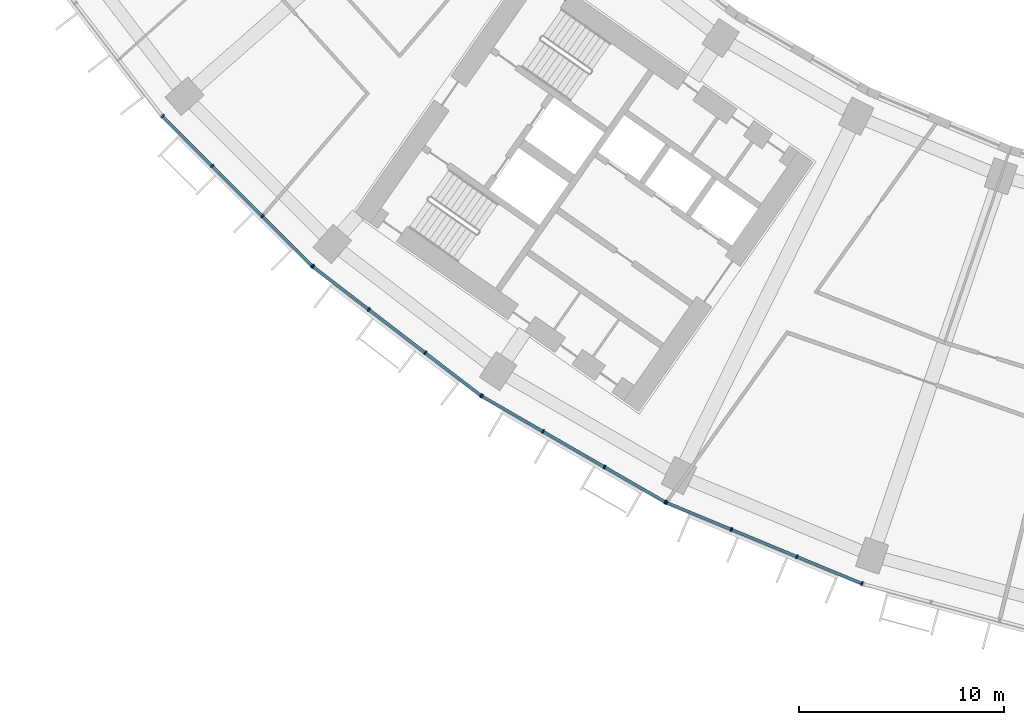
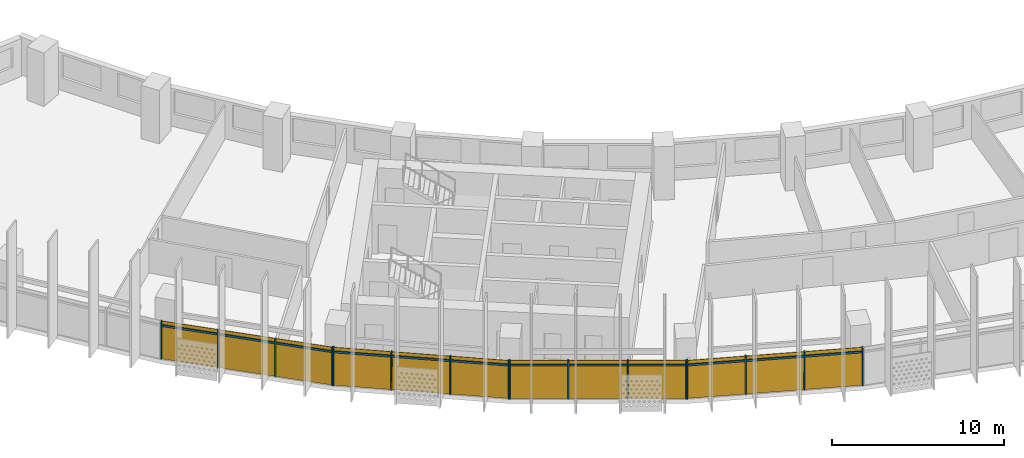
# One storey, part 17 of 29: 28 members, 4 curtain walls.
"""IFC4 building model written with IfcOpenShell, lengths in metres."""

from ifc_helpers import new_model, si_unit, direction, frame, origin, origin_2d, place, context, subcontext, project, spatial, rectangle, extrude, material, material_profile, profile_set, type_object, element, aggregate, save


model = new_model("IFC4")

# Units and contexts
model_context = context("Model", 3, precision=1e-05, world=origin(), true_north=direction((0.0, 1.0)))
body_context = subcontext(model_context, "Body", "Model", "MODEL_VIEW")
ifc_project = project(units=[si_unit("LENGTHUNIT", "METRE"), si_unit("AREAUNIT", "SQUARE_METRE"), si_unit("VOLUMEUNIT", "CUBIC_METRE"), si_unit("PLANEANGLEUNIT", "RADIAN"), si_unit("MASSUNIT", "GRAM", prefix="KILO")], contexts=[model_context])

# Member
ifc_material = material(Name="Aluminium 6063-T6 anodised", Category="aluminium")
ifc_material_profile_1 = material_profile(ifc_material, rectangle(XDim=0.199951171875, YDim=0.070068359375, at=origin_2d()))
ifc_profile_set_1 = profile_set([ifc_material_profile_1], Name="Aluminium 6063-T6 anodised")
member_type_1 = type_object("IfcMemberType", Name="Mullion 70 x 200 aluminium", PredefinedType="MULLION", material=ifc_profile_set_1)
site_placement = place(None, origin())
building_placement = place(site_placement, origin())
storey_placement = place(building_placement, frame((0.0, 0.0, 132.89990234375)))
member_1_placement = place(storey_placement, frame((-59.525390625, -52.240234375, 0.0), z_axis=(0.0, 0.0, 1.0), x_axis=(0.707106781187, 0.707106781187, 0.0)))
member_1 = element("IfcMember", 1, at=member_1_placement, type_object=member_type_1, Name="e-cw1-L30-out03/M00", PredefinedType="MULLION", context=body_context, shape_type="SweptSolid", body=[
    extrude(rectangle(XDim=0.199951171875, YDim=0.070068359375, at=origin_2d()), origin(), (0.0, 0.0, 1.0), 2.7001953125),
])

member_2_placement = place(storey_placement, frame((-57.105224609375, -54.660400390625, 0.0), z_axis=(0.0, 0.0, 1.0), x_axis=(0.707106781187, 0.707106781187, 0.0)))
member_2 = element("IfcMember", 2, at=member_2_placement, type_object=member_type_1, Name="e-cw1-L30-out03/M01", PredefinedType="MULLION", context=body_context, shape_type="SweptSolid", body=[
    extrude(rectangle(XDim=0.199951171875, YDim=0.070068359375, at=origin_2d()), origin(), (0.0, 0.0, 1.0), 2.7001953125),
])

member_3_placement = place(storey_placement, frame((-54.660400390625, -57.105224609375, 0.0), z_axis=(0.0, 0.0, 1.0), x_axis=(0.707106781187, 0.707106781187, 0.0)))
member_3 = element("IfcMember", 3, at=member_3_placement, type_object=member_type_1, Name="e-cw1-L30-out03/M02", PredefinedType="MULLION", context=body_context, shape_type="SweptSolid", body=[
    extrude(rectangle(XDim=0.199951171875, YDim=0.070068359375, at=origin_2d()), origin(), (0.0, 0.0, 1.0), 2.7001953125),
])

member_4_placement = place(storey_placement, frame((-52.240234375, -59.525390625, 0.0), z_axis=(0.0, 0.0, 1.0), x_axis=(0.707106781187, 0.707106781187, 0.0)))
member_4 = element("IfcMember", 4, at=member_4_placement, type_object=member_type_1, Name="e-cw1-L30-out03/M03", PredefinedType="MULLION", context=body_context, shape_type="SweptSolid", body=[
    extrude(rectangle(XDim=0.199951171875, YDim=0.070068359375, at=origin_2d()), origin(), (0.0, 0.0, 1.0), 2.7001953125),
])

member_5_placement = place(storey_placement, frame((-52.197509765625, -59.56298828125, 0.0), z_axis=(0.0, 0.0, 1.0), x_axis=(0.608761429009, 0.793353340291, 0.0)))
member_5 = element("IfcMember", 5, at=member_5_placement, type_object=member_type_1, Name="e-cw1-L30-out04/M00", PredefinedType="MULLION", context=body_context, shape_type="SweptSolid", body=[
    extrude(rectangle(XDim=0.199951171875, YDim=0.070068359375, at=origin_2d()), origin(), (0.0, 0.0, 1.0), 2.7001953125),
])

member_6_placement = place(storey_placement, frame((-49.482177734375, -61.646484375, 0.0), z_axis=(0.0, 0.0, 1.0), x_axis=(0.608761429009, 0.793353340291, 0.0)))
member_6 = element("IfcMember", 6, at=member_6_placement, type_object=member_type_1, Name="e-cw1-L30-out04/M01", PredefinedType="MULLION", context=body_context, shape_type="SweptSolid", body=[
    extrude(rectangle(XDim=0.199951171875, YDim=0.070068359375, at=origin_2d()), origin(), (0.0, 0.0, 1.0), 2.7001953125),
])

member_7_placement = place(storey_placement, frame((-46.739013671875, -63.751220703125, 0.0), z_axis=(0.0, 0.0, 1.0), x_axis=(0.608761429009, 0.793353340291, 0.0)))
member_7 = element("IfcMember", 7, at=member_7_placement, type_object=member_type_1, Name="e-cw1-L30-out04/M02", PredefinedType="MULLION", context=body_context, shape_type="SweptSolid", body=[
    extrude(rectangle(XDim=0.199951171875, YDim=0.070068359375, at=origin_2d()), origin(), (0.0, 0.0, 1.0), 2.7001953125),
])

member_8_placement = place(storey_placement, frame((-44.023681640625, -65.8349609375, 0.0), z_axis=(0.0, 0.0, 1.0), x_axis=(0.608761429009, 0.793353340291, 0.0)))
member_8 = element("IfcMember", 8, at=member_8_placement, type_object=member_type_1, Name="e-cw1-L30-out04/M03", PredefinedType="MULLION", context=body_context, shape_type="SweptSolid", body=[
    extrude(rectangle(XDim=0.199951171875, YDim=0.070068359375, at=origin_2d()), origin(), (0.0, 0.0, 1.0), 2.7001953125),
])

member_9_placement = place(storey_placement, frame((-43.976318359375, -65.866455078125, 0.0), z_axis=(0.0, 0.0, 1.0), x_axis=(0.5, 0.866025403784, 0.0)))
member_9 = element("IfcMember", 9, at=member_9_placement, type_object=member_type_1, Name="e-cw1-L30-out05/M00", PredefinedType="MULLION", context=body_context, shape_type="SweptSolid", body=[
    extrude(rectangle(XDim=0.199951171875, YDim=0.070068359375, at=origin_2d()), origin(), (0.0, 0.0, 1.0), 2.7001953125),
])

member_10_placement = place(storey_placement, frame((-41.01220703125, -67.577880859375, 0.0), z_axis=(0.0, 0.0, 1.0), x_axis=(0.5, 0.866025403784, 0.0)))
member_10 = element("IfcMember", 10, at=member_10_placement, type_object=member_type_1, Name="e-cw1-L30-out05/M01", PredefinedType="MULLION", context=body_context, shape_type="SweptSolid", body=[
    extrude(rectangle(XDim=0.199951171875, YDim=0.070068359375, at=origin_2d()), origin(), (0.0, 0.0, 1.0), 2.7001953125),
])

member_11_placement = place(storey_placement, frame((-38.017822265625, -69.306640625, 0.0), z_axis=(0.0, 0.0, 1.0), x_axis=(0.5, 0.866025403784, 0.0)))
member_11 = element("IfcMember", 11, at=member_11_placement, type_object=member_type_1, Name="e-cw1-L30-out05/M02", PredefinedType="MULLION", context=body_context, shape_type="SweptSolid", body=[
    extrude(rectangle(XDim=0.199951171875, YDim=0.070068359375, at=origin_2d()), origin(), (0.0, 0.0, 1.0), 2.7001953125),
])

member_12_placement = place(storey_placement, frame((-35.0537109375, -71.017822265625, 0.0), z_axis=(0.0, 0.0, 1.0), x_axis=(0.5, 0.866025403784, 0.0)))
member_12 = element("IfcMember", 12, at=member_12_placement, type_object=member_type_1, Name="e-cw1-L30-out05/M03", PredefinedType="MULLION", context=body_context, shape_type="SweptSolid", body=[
    extrude(rectangle(XDim=0.199951171875, YDim=0.070068359375, at=origin_2d()), origin(), (0.0, 0.0, 1.0), 2.7001953125),
])

member_13_placement = place(storey_placement, frame((-35.0029296875, -71.04296875, 0.0), z_axis=(0.0, 0.0, 1.0), x_axis=(0.382683432365, 0.923879532511, 0.0)))
member_13 = element("IfcMember", 13, at=member_13_placement, type_object=member_type_1, Name="e-cw1-L30-out06/M00", PredefinedType="MULLION", context=body_context, shape_type="SweptSolid", body=[
    extrude(rectangle(XDim=0.199951171875, YDim=0.070068359375, at=origin_2d()), origin(), (0.0, 0.0, 1.0), 2.7001953125),
])

member_14_placement = place(storey_placement, frame((-31.8408203125, -72.352783203125, 0.0), z_axis=(0.0, 0.0, 1.0), x_axis=(0.382683432365, 0.923879532511, 0.0)))
member_14 = element("IfcMember", 14, at=member_14_placement, type_object=member_type_1, Name="e-cw1-L30-out06/M01", PredefinedType="MULLION", context=body_context, shape_type="SweptSolid", body=[
    extrude(rectangle(XDim=0.199951171875, YDim=0.070068359375, at=origin_2d()), origin(), (0.0, 0.0, 1.0), 2.7001953125),
])

member_15_placement = place(storey_placement, frame((-28.646240234375, -73.676025390625, 0.0), z_axis=(0.0, 0.0, 1.0), x_axis=(0.382683432365, 0.923879532511, 0.0)))
member_15 = element("IfcMember", 15, at=member_15_placement, type_object=member_type_1, Name="e-cw1-L30-out06/M02", PredefinedType="MULLION", context=body_context, shape_type="SweptSolid", body=[
    extrude(rectangle(XDim=0.199951171875, YDim=0.070068359375, at=origin_2d()), origin(), (0.0, 0.0, 1.0), 2.7001953125),
])

member_16_placement = place(storey_placement, frame((-25.484130859375, -74.98583984375, 0.0), z_axis=(0.0, 0.0, 1.0), x_axis=(0.382683432365, 0.923879532511, 0.0)))
member_16 = element("IfcMember", 16, at=member_16_placement, type_object=member_type_1, Name="e-cw1-L30-out06/M03", PredefinedType="MULLION", context=body_context, shape_type="SweptSolid", body=[
    extrude(rectangle(XDim=0.199951171875, YDim=0.070068359375, at=origin_2d()), origin(), (0.0, 0.0, 1.0), 2.7001953125),
])

ifc_material_profile_2 = material_profile(ifc_material, rectangle(XDim=0.139892578125, YDim=0.1201171875, at=origin_2d()))
ifc_profile_set_2 = profile_set([ifc_material_profile_2], Name="Aluminium 6063-T6 anodised")
member_type_2 = type_object("IfcMemberType", Name="Transom 120 x 140 aluminium", PredefinedType="USERDEFINED", material=ifc_profile_set_2)
member_17_placement = place(storey_placement, frame((-59.500732421875, -52.264892578125, 2.400146484375), z_axis=(0.707106781187, -0.707106781187, 0.0), x_axis=(0.707106781187, 0.707106781187, 0.0)))
member_17 = element("IfcMember", 17, at=member_17_placement, type_object=member_type_2, Name="e-cw1-L30-out03/T00", ObjectType="TRANSOM", PredefinedType="USERDEFINED", context=body_context, shape_type="SweptSolid", body=[
    extrude(rectangle(XDim=0.139892578125, YDim=0.1201171875, at=origin_2d()), origin(), (0.0, 0.0, 1.0), 3.3525390625),
])

member_18_placement = place(storey_placement, frame((-57.08056640625, -54.68505859375, 2.400146484375), z_axis=(0.707106781187, -0.707106781187, 0.0), x_axis=(0.707106781187, 0.707106781187, 0.0)))
member_18 = element("IfcMember", 18, at=member_18_placement, type_object=member_type_2, Name="e-cw1-L30-out03/T01", ObjectType="TRANSOM", PredefinedType="USERDEFINED", context=body_context, shape_type="SweptSolid", body=[
    extrude(rectangle(XDim=0.139892578125, YDim=0.1201171875, at=origin_2d()), origin(), (0.0, 0.0, 1.0), 3.3876953125),
])

member_19_placement = place(storey_placement, frame((-54.635498046875, -57.130126953125, 2.400146484375), z_axis=(0.707106781187, -0.707106781187, 0.0), x_axis=(0.707106781187, 0.707106781187, 0.0)))
member_19 = element("IfcMember", 19, at=member_19_placement, type_object=member_type_2, Name="e-cw1-L30-out03/T02", ObjectType="TRANSOM", PredefinedType="USERDEFINED", context=body_context, shape_type="SweptSolid", body=[
    extrude(rectangle(XDim=0.139892578125, YDim=0.1201171875, at=origin_2d()), origin(), (0.0, 0.0, 1.0), 3.3525390625),
])

member_20_placement = place(storey_placement, frame((-52.169677734375, -59.584228515625, 2.400146484375), z_axis=(0.793354308621, -0.608760167055, 0.0), x_axis=(0.608760167055, 0.793354308621, 0.0)))
member_20 = element("IfcMember", 20, at=member_20_placement, type_object=member_type_2, Name="e-cw1-L30-out04/T00", ObjectType="TRANSOM", PredefinedType="USERDEFINED", context=body_context, shape_type="SweptSolid", body=[
    extrude(rectangle(XDim=0.139892578125, YDim=0.1201171875, at=origin_2d()), origin(), (0.0, 0.0, 1.0), 3.352783203125),
])

member_21_placement = place(storey_placement, frame((-49.454345703125, -61.667724609375, 2.400146484375), z_axis=(0.793344133173, -0.608773427772, 0.0), x_axis=(0.608773427772, 0.793344133173, 0.0)))
member_21 = element("IfcMember", 21, at=member_21_placement, type_object=member_type_2, Name="e-cw1-L30-out04/T01", ObjectType="TRANSOM", PredefinedType="USERDEFINED", context=body_context, shape_type="SweptSolid", body=[
    extrude(rectangle(XDim=0.139892578125, YDim=0.1201171875, at=origin_2d()), origin(), (0.0, 0.0, 1.0), 3.387451171875),
])

member_22_placement = place(storey_placement, frame((-46.711181640625, -63.772705078125, 2.400146484375), z_axis=(0.793389477316, -0.608714331426, 0.0), x_axis=(0.608714331426, 0.793389477316, 0.0)))
member_22 = element("IfcMember", 22, at=member_22_placement, type_object=member_type_2, Name="e-cw1-L30-out04/T02", ObjectType="TRANSOM", PredefinedType="USERDEFINED", context=body_context, shape_type="SweptSolid", body=[
    extrude(rectangle(XDim=0.139892578125, YDim=0.1201171875, at=origin_2d()), origin(), (0.0, 0.0, 1.0), 3.3525390625),
])

member_23_placement = place(storey_placement, frame((-43.946044921875, -65.884033203125, 2.400146484375), z_axis=(0.866020654818, -0.50000822536, 0.0), x_axis=(0.50000822536, 0.866020654818, 0.0)))
member_23 = element("IfcMember", 23, at=member_23_placement, type_object=member_type_2, Name="e-cw1-L30-out05/T00", ObjectType="TRANSOM", PredefinedType="USERDEFINED", context=body_context, shape_type="SweptSolid", body=[
    extrude(rectangle(XDim=0.139892578125, YDim=0.1201171875, at=origin_2d()), origin(), (0.0, 0.0, 1.0), 3.3525390625),
])

member_24_placement = place(storey_placement, frame((-40.98193359375, -67.59521484375, 2.400146484375), z_axis=(0.866025971257, -0.499999017107, 0.0), x_axis=(0.499999017107, 0.866025971257, 0.0)))
member_24 = element("IfcMember", 24, at=member_24_placement, type_object=member_type_2, Name="e-cw1-L30-out05/T01", ObjectType="TRANSOM", PredefinedType="USERDEFINED", context=body_context, shape_type="SweptSolid", body=[
    extrude(rectangle(XDim=0.139892578125, YDim=0.1201171875, at=origin_2d()), origin(), (0.0, 0.0, 1.0), 3.3876953125),
])

member_25_placement = place(storey_placement, frame((-37.987548828125, -69.323974609375, 2.400146484375), z_axis=(0.865989120267, -0.50006283963, 0.0), x_axis=(0.50006283963, 0.865989120267, 0.0)))
member_25 = element("IfcMember", 25, at=member_25_placement, type_object=member_type_2, Name="e-cw1-L30-out05/T02", ObjectType="TRANSOM", PredefinedType="USERDEFINED", context=body_context, shape_type="SweptSolid", body=[
    extrude(rectangle(XDim=0.139892578125, YDim=0.1201171875, at=origin_2d()), origin(), (0.0, 0.0, 1.0), 3.3525390625),
])

member_26_placement = place(storey_placement, frame((-34.970458984375, -71.056396484375, 2.400146484375), z_axis=(0.923882814237, -0.382675509483, 0.0), x_axis=(0.382675509483, 0.923882814237, 0.0)))
member_26 = element("IfcMember", 26, at=member_26_placement, type_object=member_type_2, Name="e-cw1-L30-out06/T00", ObjectType="TRANSOM", PredefinedType="USERDEFINED", context=body_context, shape_type="SweptSolid", body=[
    extrude(rectangle(XDim=0.139892578125, YDim=0.1201171875, at=origin_2d()), origin(), (0.0, 0.0, 1.0), 3.3525390625),
])

member_27_placement = place(storey_placement, frame((-31.808349609375, -72.3662109375, 2.400146484375), z_axis=(0.923874529423, -0.382695510666, 0.0), x_axis=(0.382695510666, 0.923874529423, 0.0)))
member_27 = element("IfcMember", 27, at=member_27_placement, type_object=member_type_2, Name="e-cw1-L30-out06/T01", ObjectType="TRANSOM", PredefinedType="USERDEFINED", context=body_context, shape_type="SweptSolid", body=[
    extrude(rectangle(XDim=0.139892578125, YDim=0.1201171875, at=origin_2d()), origin(), (0.0, 0.0, 1.0), 3.387451171875),
])

member_28_placement = place(storey_placement, frame((-28.614013671875, -73.689453125, 2.400146484375), z_axis=(0.923882814237, -0.382675509483, 0.0), x_axis=(0.382675509483, 0.923882814237, 0.0)))
member_28 = element("IfcMember", 28, at=member_28_placement, type_object=member_type_2, Name="e-cw1-L30-out06/T02", ObjectType="TRANSOM", PredefinedType="USERDEFINED", context=body_context, shape_type="SweptSolid", body=[
    extrude(rectangle(XDim=0.139892578125, YDim=0.1201171875, at=origin_2d()), origin(), (0.0, 0.0, 1.0), 3.3525390625),
])

# Site, building, storey
site = spatial("IfcSite", under=ifc_project, at=site_placement, CompositionType="ELEMENT")
building = spatial("IfcBuilding", under=site, at=building_placement, Name="Qamariyya Broadcast Tower", CompositionType="ELEMENT")
storey = spatial("IfcBuildingStorey", under=building, at=storey_placement, Name="L30", CompositionType="ELEMENT", Elevation=132.89990234375)

# Curtain wall
curtain_wall_type = type_object("IfcCurtainWallType", Name="Unitised curtain wall, anodised aluminium", PredefinedType="NOTDEFINED", material=ifc_material)
curtain_wall_1_placement = place(storey_placement, origin())
curtain_wall_1 = element("IfcCurtainWall", 29, at=curtain_wall_1_placement, inside=storey, type_object=curtain_wall_type, Name="e-cw1-L30-out03", PredefinedType="NOTDEFINED", context=body_context, shape_type="SweptSolid", body=[
    extrude(rectangle(XDim=3.352783203125, YDim=0.031982421875, at=origin_2d()), frame((-58.3154296875, -53.4501953125, 0.0), x_axis=(0.707106781187, -0.707106781187, 0.0)), (0.0, 0.0, 1.0), 2.340087890625),
    extrude(rectangle(XDim=3.352783203125, YDim=0.031982421875, at=origin_2d()), frame((-58.3154296875, -53.4501953125, 2.460205078125), x_axis=(0.707106781187, -0.707106781187, 0.0)), (0.0, 0.0, 1.0), 0.239990234375),
    extrude(rectangle(XDim=3.3876953125, YDim=0.031982421875, at=origin_2d()), frame((-55.8828125, -55.8828125, 0.0), x_axis=(0.707106781187, -0.707106781187, 0.0)), (0.0, 0.0, 1.0), 2.340087890625),
    extrude(rectangle(XDim=3.3876953125, YDim=0.031982421875, at=origin_2d()), frame((-55.8828125, -55.8828125, 2.460205078125), x_axis=(0.707106781187, -0.707106781187, 0.0)), (0.0, 0.0, 1.0), 0.239990234375),
    extrude(rectangle(XDim=3.352783203125, YDim=0.031982421875, at=origin_2d()), frame((-53.4501953125, -58.3154296875, 0.0), x_axis=(0.707106781187, -0.707106781187, 0.0)), (0.0, 0.0, 1.0), 2.340087890625),
    extrude(rectangle(XDim=3.352783203125, YDim=0.031982421875, at=origin_2d()), frame((-53.4501953125, -58.3154296875, 2.460205078125), x_axis=(0.707106781187, -0.707106781187, 0.0)), (0.0, 0.0, 1.0), 0.239990234375),
])

aggregate(curtain_wall_1, [member_1, member_2, member_3, member_4, member_17, member_18, member_19])

curtain_wall_2_placement = place(storey_placement, origin())
curtain_wall_2 = element("IfcCurtainWall", 30, at=curtain_wall_2_placement, inside=storey, type_object=curtain_wall_type, Name="e-cw1-L30-out04", PredefinedType="NOTDEFINED", context=body_context, shape_type="SweptSolid", body=[
    extrude(rectangle(XDim=3.352783203125, YDim=0.031982421875, at=origin_2d()), frame((-50.83984375, -60.6044921875, 0.0), x_axis=(0.793354000839, -0.608760568165, 0.0)), (0.0, 0.0, 1.0), 2.340087890625),
    extrude(rectangle(XDim=3.352783203125, YDim=0.031982421875, at=origin_2d()), frame((-50.83984375, -60.6044921875, 2.460205078125), x_axis=(0.793354000839, -0.608760568165, 0.0)), (0.0, 0.0, 1.0), 0.239990234375),
    extrude(rectangle(XDim=3.3876953125, YDim=0.031982421875, at=origin_2d()), frame((-48.110595703125, -62.69873046875, 0.0), x_axis=(0.793354000839, -0.608760568165, 0.0)), (0.0, 0.0, 1.0), 2.340087890625),
    extrude(rectangle(XDim=3.3876953125, YDim=0.031982421875, at=origin_2d()), frame((-48.110595703125, -62.69873046875, 2.460205078125), x_axis=(0.793354000839, -0.608760568165, 0.0)), (0.0, 0.0, 1.0), 0.239990234375),
    extrude(rectangle(XDim=3.352783203125, YDim=0.031982421875, at=origin_2d()), frame((-45.38134765625, -64.793212890625, 0.0), x_axis=(0.793354000839, -0.608760568165, 0.0)), (0.0, 0.0, 1.0), 2.340087890625),
    extrude(rectangle(XDim=3.352783203125, YDim=0.031982421875, at=origin_2d()), frame((-45.38134765625, -64.793212890625, 2.460205078125), x_axis=(0.793354000839, -0.608760568165, 0.0)), (0.0, 0.0, 1.0), 0.239990234375),
])

aggregate(curtain_wall_2, [member_5, member_6, member_7, member_8, member_20, member_21, member_22])

curtain_wall_3_placement = place(storey_placement, origin())
curtain_wall_3 = element("IfcCurtainWall", 31, at=curtain_wall_3_placement, inside=storey, type_object=curtain_wall_type, Name="e-cw1-L30-out05", PredefinedType="NOTDEFINED", context=body_context, shape_type="SweptSolid", body=[
    extrude(rectangle(XDim=3.352783203125, YDim=0.031982421875, at=origin_2d()), frame((-42.494384765625, -66.72216796875, 0.0), x_axis=(0.866027243369, -0.499996813733, 0.0)), (0.0, 0.0, 1.0), 2.340087890625),
    extrude(rectangle(XDim=3.352783203125, YDim=0.031982421875, at=origin_2d()), frame((-42.494384765625, -66.72216796875, 2.460205078125), x_axis=(0.866027243369, -0.499996813733, 0.0)), (0.0, 0.0, 1.0), 0.239990234375),
    extrude(rectangle(XDim=3.3876953125, YDim=0.031982421875, at=origin_2d()), frame((-39.51513671875, -68.442138671875, 0.0), x_axis=(0.866027243369, -0.499996813733, 0.0)), (0.0, 0.0, 1.0), 2.340087890625),
    extrude(rectangle(XDim=3.3876953125, YDim=0.031982421875, at=origin_2d()), frame((-39.51513671875, -68.442138671875, 2.460205078125), x_axis=(0.866027243369, -0.499996813733, 0.0)), (0.0, 0.0, 1.0), 0.239990234375),
    extrude(rectangle(XDim=3.352783203125, YDim=0.031982421875, at=origin_2d()), frame((-36.535888671875, -70.162109375, 0.0), x_axis=(0.866027243369, -0.499996813733, 0.0)), (0.0, 0.0, 1.0), 2.340087890625),
    extrude(rectangle(XDim=3.352783203125, YDim=0.031982421875, at=origin_2d()), frame((-36.535888671875, -70.162109375, 2.460205078125), x_axis=(0.866027243369, -0.499996813733, 0.0)), (0.0, 0.0, 1.0), 0.239990234375),
])

aggregate(curtain_wall_3, [member_9, member_10, member_11, member_12, member_23, member_24, member_25])

curtain_wall_4_placement = place(storey_placement, origin())
curtain_wall_4 = element("IfcCurtainWall", 32, at=curtain_wall_4_placement, inside=storey, type_object=curtain_wall_type, Name="e-cw1-L30-out06", PredefinedType="NOTDEFINED", context=body_context, shape_type="SweptSolid", body=[
    extrude(rectangle(XDim=3.3525390625, YDim=0.031982421875, at=origin_2d()), frame((-33.421875, -71.69775390625, 0.0), x_axis=(0.923872250857, -0.382701011361, 0.0)), (0.0, 0.0, 1.0), 2.340087890625),
    extrude(rectangle(XDim=3.3525390625, YDim=0.031982421875, at=origin_2d()), frame((-33.421875, -71.69775390625, 2.460205078125), x_axis=(0.923872250857, -0.382701011361, 0.0)), (0.0, 0.0, 1.0), 0.239990234375),
    extrude(rectangle(XDim=3.3876953125, YDim=0.031982421875, at=origin_2d()), frame((-30.24365234375, -73.014404296875, 0.0), x_axis=(0.923872250857, -0.382701011361, 0.0)), (0.0, 0.0, 1.0), 2.340087890625),
    extrude(rectangle(XDim=3.3876953125, YDim=0.031982421875, at=origin_2d()), frame((-30.24365234375, -73.014404296875, 2.460205078125), x_axis=(0.923872250857, -0.382701011361, 0.0)), (0.0, 0.0, 1.0), 0.239990234375),
    extrude(rectangle(XDim=3.3525390625, YDim=0.031982421875, at=origin_2d()), frame((-27.065185546875, -74.3310546875, 0.0), x_axis=(0.923872250857, -0.382701011361, 0.0)), (0.0, 0.0, 1.0), 2.340087890625),
    extrude(rectangle(XDim=3.3525390625, YDim=0.031982421875, at=origin_2d()), frame((-27.065185546875, -74.3310546875, 2.460205078125), x_axis=(0.923872250857, -0.382701011361, 0.0)), (0.0, 0.0, 1.0), 0.239990234375),
])

aggregate(curtain_wall_4, [member_13, member_14, member_15, member_16, member_26, member_27, member_28])

save(model, "model.ifc")
